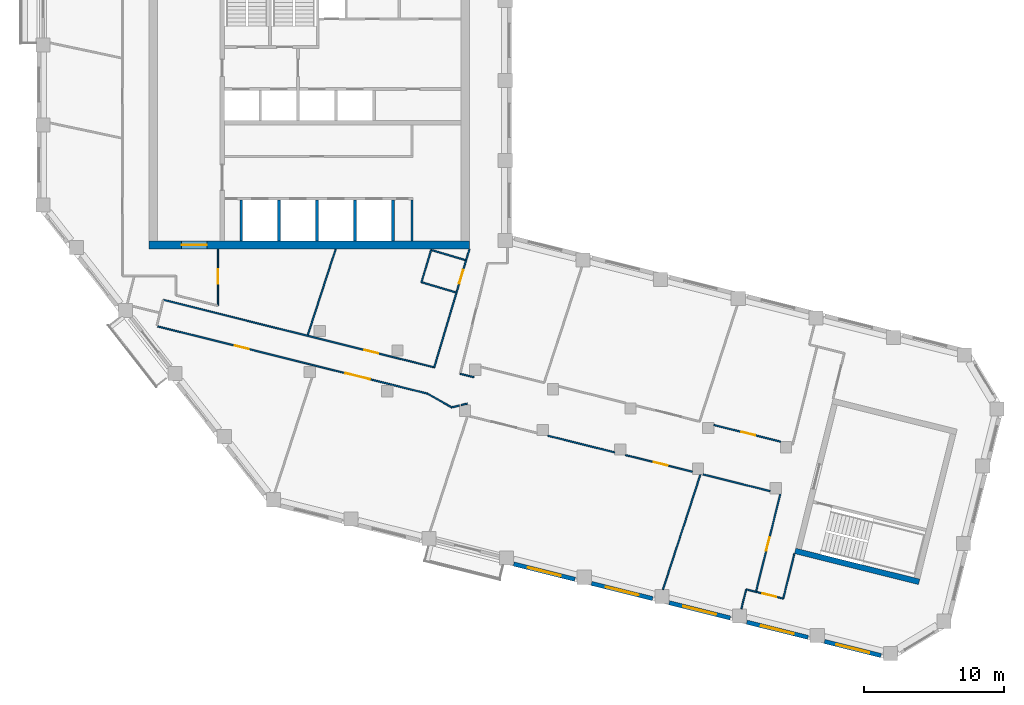
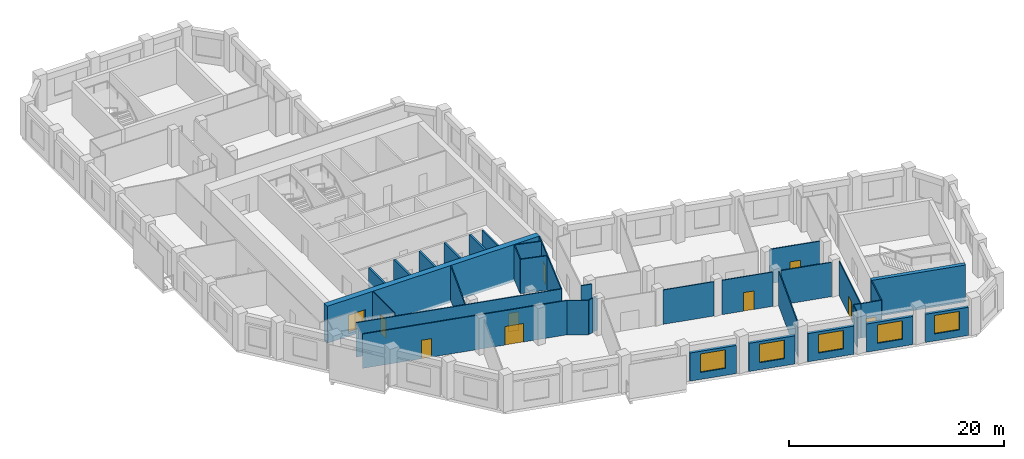
# One storey, part 3 of 9: 35 walls, 10 doors, 5 windows, 15 openings.
"""IFC4 building model written with IfcOpenShell, lengths in metres."""

from ifc_helpers import new_model, si_unit, direction, frame, frame_2d, origin, place, context, subcontext, project, spatial, rectangle, extrude, material, layer, layer_set, type_object, element, fill, save


model = new_model("IFC4")

# Units and contexts
model_context = context("Model", 3, precision=1e-05, world=origin(), true_north=direction((0.0, 1.0)))
body_context = subcontext(model_context, "Body", "Model", "MODEL_VIEW")
ifc_project = project(units=[si_unit("LENGTHUNIT", "METRE"), si_unit("AREAUNIT", "SQUARE_METRE"), si_unit("VOLUMEUNIT", "CUBIC_METRE"), si_unit("PLANEANGLEUNIT", "RADIAN"), si_unit("MASSUNIT", "GRAM", prefix="KILO")], contexts=[model_context])

# Site, building, storey
site_placement = place(None, origin())
site = spatial("IfcSite", under=ifc_project, at=site_placement, CompositionType="ELEMENT")
building_placement = place(site_placement, origin())
building = spatial("IfcBuilding", under=site, at=building_placement, Name="Meshkara Civic Tower", CompositionType="ELEMENT")
storey_placement = place(building_placement, frame((0.0, 0.0, 331.800048828125)))
storey = spatial("IfcBuildingStorey", under=building, at=storey_placement, Name="L76", CompositionType="ELEMENT", Elevation=331.800048828125)

# Wall
ifc_material_1 = material(Name="Blockwork", Category="masonry")
ifc_layer_1 = layer(ifc_material_1, 0.14990234375)
ifc_layer_set_1 = layer_set([ifc_layer_1], Name="Core partition 150")
wall_type_1 = type_object("IfcWallType", Name="Core partition 150", PredefinedType="PARTITIONING", material=ifc_layer_set_1)
wall_1_placement = place(storey_placement, frame((26.699951171875, 14.699951171875, 0.0), z_axis=(0.0, 0.0, 1.0), x_axis=(0.0, 1.0, 0.0)))
element("IfcWall", 1, at=wall_1_placement, inside=storey, type_object=wall_type_1, Name="L76-C025", PredefinedType="PARTITIONING", context=body_context, shape_type="SweptSolid", body=[
    extrude(rectangle(XDim=2.900146484375, YDim=0.14990234375, at=frame_2d((1.4501953125, 0.0))), origin(), (0.0, 0.0, 1.0), 3.89990234375),
])

# Wall, opening, door
ifc_material_2 = material(Name="Concrete C60", Category="concrete")
ifc_layer_2 = layer(ifc_material_2, 0.60009765625)
ifc_layer_set_2 = layer_set([ifc_layer_2], Name="Core ring wall 600 C60")
wall_type_2 = type_object("IfcWallType", Name="Core ring wall 600 C60", PredefinedType="SHEAR", material=ifc_layer_set_2)
wall_2_placement = place(storey_placement, frame((8.0, 14.39990234375, -0.300048828125), z_axis=(0.0, 0.0, 1.0), x_axis=(1.0, 0.0, 0.0)))
wall_2 = element("IfcWall", 2, at=wall_2_placement, inside=storey, type_object=wall_type_2, Name="L76-C001", PredefinedType="SHEAR", context=body_context, shape_type="SweptSolid", body=[
    extrude(rectangle(XDim=22.800048828125, YDim=0.60009765625, at=frame_2d((11.39990234375, 0.0))), origin(), (0.0, 0.0, 1.0), 4.199951171875),
])
opening_1_placement = place(wall_2_placement, frame((2.300048828125, 0.0, 0.300048828125)))
opening_1 = element("IfcOpeningElement", 3, at=opening_1_placement, cuts=wall_2, Name="Opening L76-K022", PredefinedType="OPENING", context=body_context, shape_type="SweptSolid", body=[
    extrude(rectangle(XDim=1.800048828125, YDim=2.10009765625, at=frame_2d((0.89990234375, 1.050048828125))), frame((0.0, 0.31005859375, 0.0), z_axis=(0.0, -1.0, 0.0), x_axis=(1.0, 0.0, 0.0)), (0.0, 0.0, 1.0), 0.6201171875),
])
ifc_material_3 = material(Name="Fire-rated door leaf in steel frame", Category="steel")
door_type_1 = type_object("IfcDoorType", Name="Core double door 1800 EI 60", OperationType="DOUBLE_DOOR_SINGLE_SWING", PredefinedType="DOOR", material=ifc_material_3)
door_1_placement = place(opening_1_placement, origin())
door_1 = element("IfcDoor", 4, at=door_1_placement, inside=storey, type_object=door_type_1, Name="L76-K022", OperationType="DOUBLE_DOOR_SINGLE_SWING", OverallHeight=2.10009765625, OverallWidth=1.800048828125, PredefinedType="DOOR", context=body_context, shape_type="SweptSolid", body=[
    extrude(rectangle(XDim=1.800048828125, YDim=2.10009765625, at=frame_2d((0.89990234375, 1.050048828125))), frame((0.0, 0.02490234375, 0.0), z_axis=(0.0, -1.0, 0.0), x_axis=(1.0, 0.0, 0.0)), (0.0, 0.0, 1.0), 0.050048828125),
])
fill(opening_1, door_1)

# Wall, openings, doors
ifc_material_4 = material(Name="Corridor wall 100")
ifc_layer_3 = layer(ifc_material_4, 0.10009765625)
ifc_layer_set_3 = layer_set([ifc_layer_3], Name="Corridor wall 100")
wall_type_3 = type_object("IfcWallType", Name="Corridor wall 100", PredefinedType="PARTITIONING", material=ifc_layer_set_3)
wall_3_placement = place(storey_placement, frame((8.60107421875, 8.610107421875, 0.0), z_axis=(0.0, 0.0, 1.0), x_axis=(0.970290921205, -0.241941166872, 0.0)))
wall_3 = element("IfcWall", 5, at=wall_3_placement, inside=storey, type_object=wall_type_3, Name="L76-W006", PredefinedType="PARTITIONING", context=body_context, shape_type="SweptSolid", body=[
    extrude(rectangle(XDim=19.8115234375, YDim=0.10009765625, at=frame_2d((9.90576171875, 0.0))), origin(), (0.0, 0.0, 1.0), 3.89990234375),
])
opening_2_placement = place(wall_3_placement, frame((13.784912109375, 0.0, 0.0)))
opening_2 = element("IfcOpeningElement", 6, at=opening_2_placement, cuts=wall_3, Name="Opening L76-D004", PredefinedType="OPENING", context=body_context, shape_type="SweptSolid", body=[
    extrude(rectangle(XDim=1.800048828125, YDim=2.10009765625, at=frame_2d((0.89990234375, 1.050048828125))), frame((0.0, 0.06005859375, 0.0), z_axis=(0.0, -1.0, 0.0), x_axis=(1.0, 0.0, 0.0)), (0.0, 0.0, 1.0), 0.1201171875),
])
opening_3_placement = place(wall_3_placement, frame((5.679931640625, 0.0, 0.0)))
opening_3 = element("IfcOpeningElement", 7, at=opening_3_placement, cuts=wall_3, Name="Opening L76-D009", PredefinedType="OPENING", context=body_context, shape_type="SweptSolid", body=[
    extrude(rectangle(XDim=1.0, YDim=2.10009765625, at=frame_2d((0.5, 1.050048828125))), frame((0.0, 0.06005859375, 0.0), z_axis=(0.0, -1.0, 0.0), x_axis=(1.0, 0.0, 0.0)), (0.0, 0.0, 1.0), 0.1201171875),
])
ifc_material_5 = material(Name="Door 1000 x 2100")
door_type_2 = type_object("IfcDoorType", Name="Door 1000 x 2100", OperationType="SINGLE_SWING_LEFT", PredefinedType="DOOR", material=ifc_material_5)
door_2_placement = place(opening_3_placement, origin())
door_2 = element("IfcDoor", 8, at=door_2_placement, inside=storey, type_object=door_type_2, Name="L76-D009", OperationType="SINGLE_SWING_LEFT", OverallHeight=2.10009765625, OverallWidth=1.0, PredefinedType="DOOR", context=body_context, shape_type="SweptSolid", body=[
    extrude(rectangle(XDim=1.0, YDim=2.10009765625, at=frame_2d((0.5, 1.050048828125))), frame((0.0, 0.02490234375, 0.0), z_axis=(0.0, -1.0, 0.0), x_axis=(1.0, 0.0, 0.0)), (0.0, 0.0, 1.0), 0.050048828125),
])
fill(opening_3, door_2)
ifc_material_6 = material(Name="Door pair 1800 x 2100")
door_type_3 = type_object("IfcDoorType", Name="Door pair 1800 x 2100", OperationType="SINGLE_SWING_LEFT", PredefinedType="DOOR", material=ifc_material_6)
door_3_placement = place(opening_2_placement, origin())
door_3 = element("IfcDoor", 9, at=door_3_placement, inside=storey, type_object=door_type_3, Name="L76-D004", OperationType="DOUBLE_DOOR_SINGLE_SWING", OverallHeight=2.10009765625, OverallWidth=1.800048828125, PredefinedType="DOOR", context=body_context, shape_type="SweptSolid", body=[
    extrude(rectangle(XDim=1.800048828125, YDim=2.10009765625, at=frame_2d((0.89990234375, 1.050048828125))), frame((0.0, 0.02490234375, 0.0), z_axis=(0.0, -1.0, 0.0), x_axis=(1.0, 0.0, 0.0)), (0.0, 0.0, 1.0), 0.050048828125),
])
fill(opening_2, door_3)

# Wall, opening, door
wall_4_placement = place(storey_placement, frame((9.001953125, 10.4990234375, 0.0), z_axis=(0.0, 0.0, 1.0), x_axis=(0.970298340477, -0.241911410372, 0.0)))
wall_4 = element("IfcWall", 10, at=wall_4_placement, inside=storey, type_object=wall_type_3, Name="L76-W007", PredefinedType="PARTITIONING", context=body_context, shape_type="SweptSolid", body=[
    extrude(rectangle(XDim=19.879638671875, YDim=0.10009765625, at=frame_2d((9.93994140625, 0.0))), origin(), (0.0, 0.0, 1.0), 3.89990234375),
])
opening_4_placement = place(wall_4_placement, frame((14.76611328125, 0.0, 0.0)))
opening_4 = element("IfcOpeningElement", 11, at=opening_4_placement, cuts=wall_4, Name="Opening L76-D010", PredefinedType="OPENING", context=body_context, shape_type="SweptSolid", body=[
    extrude(rectangle(XDim=1.0, YDim=2.10009765625, at=frame_2d((0.5, 1.050048828125))), frame((0.0, 0.06005859375, 0.0), z_axis=(0.0, -1.0, 0.0), x_axis=(1.0, 0.0, 0.0)), (0.0, 0.0, 1.0), 0.1201171875),
])
door_4_placement = place(opening_4_placement, origin())
door_4 = element("IfcDoor", 12, at=door_4_placement, inside=storey, type_object=door_type_2, Name="L76-D010", OperationType="SINGLE_SWING_RIGHT", OverallHeight=2.10009765625, OverallWidth=1.0, PredefinedType="DOOR", context=body_context, shape_type="SweptSolid", body=[
    extrude(rectangle(XDim=1.0, YDim=2.10009765625, at=frame_2d((0.5, 1.050048828125))), frame((0.0, 0.02490234375, 0.0), z_axis=(0.0, -1.0, 0.0), x_axis=(1.0, 0.0, 0.0)), (0.0, 0.0, 1.0), 0.050048828125),
])
fill(opening_4, door_4)

wall_5_placement = place(storey_placement, frame((12.89990234375, 10.077880859375, 0.0), z_axis=(0.0, 0.0, 1.0), x_axis=(0.0, 1.0, 0.0)))
wall_5 = element("IfcWall", 13, at=wall_5_placement, inside=storey, type_object=wall_type_3, Name="L76-W015", PredefinedType="PARTITIONING", context=body_context, shape_type="SweptSolid", body=[
    extrude(rectangle(XDim=4.022216796875, YDim=0.10009765625, at=frame_2d((2.01123046875, 0.0))), origin(), (0.0, 0.0, 1.0), 3.89990234375),
])
opening_5_placement = place(wall_5_placement, frame((1.580078125, 0.0, 0.0)))
opening_5 = element("IfcOpeningElement", 14, at=opening_5_placement, cuts=wall_5, Name="Opening L76-D013", PredefinedType="OPENING", context=body_context, shape_type="SweptSolid", body=[
    extrude(rectangle(XDim=1.0, YDim=2.10009765625, at=frame_2d((0.5, 1.050048828125))), frame((0.0, 0.06005859375, 0.0), z_axis=(0.0, -1.0, 0.0), x_axis=(1.0, 0.0, 0.0)), (0.0, 0.0, 1.0), 0.1201171875),
])
door_5_placement = place(opening_5_placement, origin())
door_5 = element("IfcDoor", 15, at=door_5_placement, inside=storey, type_object=door_type_2, Name="L76-D013", OperationType="SINGLE_SWING_LEFT", OverallHeight=2.10009765625, OverallWidth=1.0, PredefinedType="DOOR", context=body_context, shape_type="SweptSolid", body=[
    extrude(rectangle(XDim=1.0, YDim=2.10009765625, at=frame_2d((0.5, 1.050048828125))), frame((0.0, 0.02490234375, 0.0), z_axis=(0.0, -1.0, 0.0), x_axis=(1.0, 0.0, 0.0)), (0.0, 0.0, 1.0), 0.050048828125),
])
fill(opening_5, door_5)

# Wall
wall_6_placement = place(storey_placement, frame((27.823974609375, 3.81689453125, 0.0), z_axis=(0.0, 0.0, 1.0), x_axis=(0.868349676245, -0.495952457163, 0.0)))
element("IfcWall", 16, at=wall_6_placement, inside=storey, type_object=wall_type_3, Name="L76-W018", PredefinedType="PARTITIONING", context=body_context, shape_type="SweptSolid", body=[
    extrude(rectangle(XDim=1.973876953125, YDim=0.10009765625, at=frame_2d((0.98681640625, 0.0))), origin(), (0.0, 0.0, 1.0), 3.89990234375),
])

# Wall, opening, door
wall_7_placement = place(storey_placement, frame((28.291015625, 5.68994140625, 0.0), z_axis=(0.0, 0.0, 1.0), x_axis=(0.28588265334, 0.958264633867, 0.0)))
wall_7 = element("IfcWall", 17, at=wall_7_placement, inside=storey, type_object=wall_type_3, Name="L76-W019", PredefinedType="PARTITIONING", context=body_context, shape_type="SweptSolid", body=[
    extrude(rectangle(XDim=8.7763671875, YDim=0.10009765625, at=frame_2d((4.38818359375, 0.0))), origin(), (0.0, 0.0, 1.0), 3.89990234375),
])
opening_6_placement = place(wall_7_placement, frame((6.22998046875, 0.0, 0.0)))
opening_6 = element("IfcOpeningElement", 18, at=opening_6_placement, cuts=wall_7, Name="Opening L76-D014", PredefinedType="OPENING", context=body_context, shape_type="SweptSolid", body=[
    extrude(rectangle(XDim=1.0, YDim=2.10009765625, at=frame_2d((0.5, 1.050048828125))), frame((0.0, 0.06005859375, 0.0), z_axis=(0.0, -1.0, 0.0), x_axis=(1.0, 0.0, 0.0)), (0.0, 0.0, 1.0), 0.1201171875),
])
door_6_placement = place(opening_6_placement, origin())
door_6 = element("IfcDoor", 19, at=door_6_placement, inside=storey, type_object=door_type_2, Name="L76-D014", OperationType="SINGLE_SWING_LEFT", OverallHeight=2.10009765625, OverallWidth=1.0, PredefinedType="DOOR", context=body_context, shape_type="SweptSolid", body=[
    extrude(rectangle(XDim=1.0, YDim=2.10009765625, at=frame_2d((0.5, 1.050048828125))), frame((0.0, 0.02490234375, 0.0), z_axis=(0.0, -1.0, 0.0), x_axis=(1.0, 0.0, 0.0)), (0.0, 0.0, 1.0), 0.050048828125),
])
fill(opening_6, door_6)

# Walls
wall_8_placement = place(storey_placement, frame((29.5380859375, 2.837890625, 0.0), z_axis=(0.0, 0.0, 1.0), x_axis=(0.971654139629, 0.236406922365, 0.0)))
element("IfcWall", 20, at=wall_8_placement, inside=storey, type_object=wall_type_3, Name="L76-W020", PredefinedType="PARTITIONING", context=body_context, shape_type="SweptSolid", body=[
    extrude(rectangle(XDim=0.562744140625, YDim=0.10009765625, at=frame_2d((0.28125, 0.0))), origin(), (0.0, 0.0, 1.0), 3.89990234375),
])
wall_9_placement = place(storey_placement, frame((30.212890625, 3.001953125, 0.0), z_axis=(0.0, 0.0, 1.0), x_axis=(0.971720514556, 0.236133948408, 0.0)))
element("IfcWall", 21, at=wall_9_placement, inside=storey, type_object=wall_type_3, Name="L76-W022", PredefinedType="PARTITIONING", context=body_context, shape_type="SweptSolid", body=[
    extrude(rectangle(XDim=0.4580078125, YDim=0.10009765625, at=frame_2d((0.22900390625, 0.0))), origin(), (0.0, 0.0, 1.0), 3.89990234375),
])
wall_10_placement = place(storey_placement, frame((31.125, 4.98291015625, 0.0), z_axis=(0.0, 0.0, 1.0), x_axis=(-0.970296981152, 0.24191686251, 0.0)))
element("IfcWall", 22, at=wall_10_placement, inside=storey, type_object=wall_type_3, Name="L76-W025", PredefinedType="PARTITIONING", context=body_context, shape_type="SweptSolid", body=[
    extrude(rectangle(XDim=1.021240234375, YDim=0.10009765625, at=frame_2d((0.5107421875, 0.0))), origin(), (0.0, 0.0, 1.0), 3.89990234375),
])
wall_11_placement = place(storey_placement, frame((36.3798828125, 0.822998046875, 0.0), z_axis=(0.0, 0.0, 1.0), x_axis=(0.970311839682, -0.241857259087, 0.0)))
element("IfcWall", 23, at=wall_11_placement, inside=storey, type_object=wall_type_3, Name="L76-W029", PredefinedType="PARTITIONING", context=body_context, shape_type="SweptSolid", body=[
    extrude(rectangle(XDim=4.911865234375, YDim=0.10009765625, at=frame_2d((2.4560546875, 0.0))), origin(), (0.0, 0.0, 1.0), 3.89990234375),
])

# Wall, opening, door
wall_12_placement = place(storey_placement, frame((41.910888671875, -0.555908203125, 0.0), z_axis=(0.0, 0.0, 1.0), x_axis=(0.970311839682, -0.241857259087, 0.0)))
wall_12 = element("IfcWall", 24, at=wall_12_placement, inside=storey, type_object=wall_type_3, Name="L76-W030", PredefinedType="PARTITIONING", context=body_context, shape_type="SweptSolid", body=[
    extrude(rectangle(XDim=4.911865234375, YDim=0.10009765625, at=frame_2d((2.4560546875, 0.0))), origin(), (0.0, 0.0, 1.0), 3.89990234375),
])
opening_7_placement = place(wall_12_placement, frame((2.080078125, 0.0, 0.0)))
opening_7 = element("IfcOpeningElement", 25, at=opening_7_placement, cuts=wall_12, Name="Opening L76-D003", PredefinedType="OPENING", context=body_context, shape_type="SweptSolid", body=[
    extrude(rectangle(XDim=1.0, YDim=2.10009765625, at=frame_2d((0.5, 1.050048828125))), frame((0.0, 0.06005859375, 0.0), z_axis=(0.0, -1.0, 0.0), x_axis=(1.0, 0.0, 0.0)), (0.0, 0.0, 1.0), 0.1201171875),
])
door_7_placement = place(opening_7_placement, origin())
door_7 = element("IfcDoor", 26, at=door_7_placement, inside=storey, type_object=door_type_2, Name="L76-D003", OperationType="SINGLE_SWING_LEFT", OverallHeight=2.10009765625, OverallWidth=1.0, PredefinedType="DOOR", context=body_context, shape_type="SweptSolid", body=[
    extrude(rectangle(XDim=1.0, YDim=2.10009765625, at=frame_2d((0.5, 1.050048828125))), frame((0.0, 0.02490234375, 0.0), z_axis=(0.0, -1.0, 0.0), x_axis=(1.0, 0.0, 0.0)), (0.0, 0.0, 1.0), 0.050048828125),
])
fill(opening_7, door_7)

# Wall
wall_13_placement = place(storey_placement, frame((47.44189453125, -1.93505859375, 0.0), z_axis=(0.0, 0.0, 1.0), x_axis=(0.970311839682, -0.241857259087, 0.0)))
element("IfcWall", 27, at=wall_13_placement, inside=storey, type_object=wall_type_3, Name="L76-W033", PredefinedType="PARTITIONING", context=body_context, shape_type="SweptSolid", body=[
    extrude(rectangle(XDim=4.911865234375, YDim=0.10009765625, at=frame_2d((2.4560546875, 0.0))), origin(), (0.0, 0.0, 1.0), 3.89990234375),
])

# Wall, opening, door
wall_14_placement = place(storey_placement, frame((51.200927734375, -10.2919921875, 0.0), z_axis=(0.0, 0.0, 1.0), x_axis=(0.970307382734, -0.241875139301, 0.0)))
wall_14 = element("IfcWall", 28, at=wall_14_placement, inside=storey, type_object=wall_type_3, Name="L76-W034", PredefinedType="PARTITIONING", context=body_context, shape_type="SweptSolid", body=[
    extrude(rectangle(XDim=2.00048828125, YDim=0.10009765625, at=frame_2d((1.000244140625, 0.0))), origin(), (0.0, 0.0, 1.0), 3.89990234375),
])
opening_8_placement = place(wall_14_placement, frame((0.47998046875, 0.0, 0.0)))
opening_8 = element("IfcOpeningElement", 29, at=opening_8_placement, cuts=wall_14, Name="Opening L76-D002", PredefinedType="OPENING", context=body_context, shape_type="SweptSolid", body=[
    extrude(rectangle(XDim=1.0, YDim=2.10009765625, at=frame_2d((0.5, 1.050048828125))), frame((0.0, 0.06005859375, 0.0), z_axis=(0.0, -1.0, 0.0), x_axis=(1.0, 0.0, 0.0)), (0.0, 0.0, 1.0), 0.1201171875),
])
door_8_placement = place(opening_8_placement, origin())
door_8 = element("IfcDoor", 30, at=door_8_placement, inside=storey, type_object=door_type_2, Name="L76-D002", OperationType="SINGLE_SWING_RIGHT", OverallHeight=2.10009765625, OverallWidth=1.0, PredefinedType="DOOR", context=body_context, shape_type="SweptSolid", body=[
    extrude(rectangle(XDim=1.0, YDim=2.10009765625, at=frame_2d((0.5, 1.050048828125))), frame((0.0, 0.02490234375, 0.0), z_axis=(0.0, -1.0, 0.0), x_axis=(1.0, 0.0, 0.0)), (0.0, 0.0, 1.0), 0.050048828125),
])
fill(opening_8, door_8)

wall_15_placement = place(storey_placement, frame((52.94091796875, -3.31396484375, 0.0), z_axis=(0.0, 0.0, 1.0), x_axis=(-0.241944492524, -0.97029009195, 0.0)))
wall_15 = element("IfcWall", 31, at=wall_15_placement, inside=storey, type_object=wall_type_3, Name="L76-W035", PredefinedType="PARTITIONING", context=body_context, shape_type="SweptSolid", body=[
    extrude(rectangle(XDim=7.191650390625, YDim=0.10009765625, at=frame_2d((3.595703125, 0.0))), origin(), (0.0, 0.0, 1.0), 3.89990234375),
])
opening_9_placement = place(wall_15_placement, frame((3.179931640625, 0.0, 0.0)))
opening_9 = element("IfcOpeningElement", 32, at=opening_9_placement, cuts=wall_15, Name="Opening L76-D001", PredefinedType="OPENING", context=body_context, shape_type="SweptSolid", body=[
    extrude(rectangle(XDim=1.0, YDim=2.10009765625, at=frame_2d((0.5, 1.050048828125))), frame((0.0, 0.06005859375, 0.0), z_axis=(0.0, -1.0, 0.0), x_axis=(1.0, 0.0, 0.0)), (0.0, 0.0, 1.0), 0.1201171875),
])
door_9_placement = place(opening_9_placement, origin())
door_9 = element("IfcDoor", 33, at=door_9_placement, inside=storey, type_object=door_type_2, Name="L76-D001", OperationType="SINGLE_SWING_LEFT", OverallHeight=2.10009765625, OverallWidth=1.0, PredefinedType="DOOR", context=body_context, shape_type="SweptSolid", body=[
    extrude(rectangle(XDim=1.0, YDim=2.10009765625, at=frame_2d((0.5, 1.050048828125))), frame((0.0, 0.02490234375, 0.0), z_axis=(0.0, -1.0, 0.0), x_axis=(1.0, 0.0, 0.0)), (0.0, 0.0, 1.0), 0.050048828125),
])
fill(opening_9, door_9)

wall_16_placement = place(storey_placement, frame((52.970947265625, 0.39697265625, 0.0), z_axis=(0.0, 0.0, 1.0), x_axis=(-0.970288447449, 0.24195108751, 0.0)))
wall_16 = element("IfcWall", 34, at=wall_16_placement, inside=storey, type_object=wall_type_3, Name="L76-W036", PredefinedType="PARTITIONING", context=body_context, shape_type="SweptSolid", body=[
    extrude(rectangle(XDim=4.9140625, YDim=0.10009765625, at=frame_2d((2.45703125, 0.0))), origin(), (0.0, 0.0, 1.0), 3.89990234375),
])
opening_10_placement = place(wall_16_placement, frame((1.8798828125, 0.0, 0.0)))
opening_10 = element("IfcOpeningElement", 35, at=opening_10_placement, cuts=wall_16, Name="Opening L76-D007", PredefinedType="OPENING", context=body_context, shape_type="SweptSolid", body=[
    extrude(rectangle(XDim=1.0, YDim=2.10009765625, at=frame_2d((0.5, 1.050048828125))), frame((0.0, 0.06005859375, 0.0), z_axis=(0.0, -1.0, 0.0), x_axis=(1.0, 0.0, 0.0)), (0.0, 0.0, 1.0), 0.1201171875),
])
door_10_placement = place(opening_10_placement, origin())
door_10 = element("IfcDoor", 36, at=door_10_placement, inside=storey, type_object=door_type_2, Name="L76-D007", OperationType="SINGLE_SWING_RIGHT", OverallHeight=2.10009765625, OverallWidth=1.0, PredefinedType="DOOR", context=body_context, shape_type="SweptSolid", body=[
    extrude(rectangle(XDim=1.0, YDim=2.10009765625, at=frame_2d((0.5, 1.050048828125))), frame((0.0, 0.02490234375, 0.0), z_axis=(0.0, -1.0, 0.0), x_axis=(1.0, 0.0, 0.0)), (0.0, 0.0, 1.0), 0.050048828125),
])
fill(opening_10, door_10)

# Wall
wall_17_placement = place(storey_placement, frame((53.14208984375, -10.77587890625, 0.0), z_axis=(0.0, 0.0, 1.0), x_axis=(0.241786986316, 0.970329352977, 0.0)))
element("IfcWall", 37, at=wall_17_placement, inside=storey, type_object=wall_type_3, Name="L76-W037", PredefinedType="PARTITIONING", context=body_context, shape_type="SweptSolid", body=[
    extrude(rectangle(XDim=3.2998046875, YDim=0.10009765625, at=frame_2d((1.64990234375, 0.0))), origin(), (0.0, 0.0, 1.0), 3.89990234375),
])

# Wall, opening, window
ifc_material_7 = material(Name="Insulated infill panel with bronze anodised aluminium cladding", Category="aluminium")
ifc_layer_4 = layer(ifc_material_7, 0.300048828125)
ifc_layer_set_4 = layer_set([ifc_layer_4], Name="EXTERNAL INFILL WALL 300")
wall_type_4 = type_object("IfcWallType", Name="EXTERNAL INFILL WALL 300", PredefinedType="SOLIDWALL", material=ifc_layer_set_4)
wall_18_placement = place(storey_placement, frame((33.958984375, -8.31201171875, 0.0), z_axis=(0.0, 0.0, 1.0), x_axis=(0.970276766004, -0.241997928406, 0.0)))
wall_18 = element("IfcWall", 38, at=wall_18_placement, inside=storey, type_object=wall_type_4, Name="External wall", PredefinedType="SOLIDWALL", context=body_context, shape_type="SweptSolid", body=[
    extrude(rectangle(XDim=4.4873046875, YDim=0.300048828125, at=frame_2d((2.24365234375, 0.0))), origin(), (0.0, 0.0, 1.0), 3.199951171875),
])
opening_11_placement = place(wall_18_placement, frame((1.0439453125, 0.0, 0.800048828125)))
opening_11 = element("IfcOpeningElement", 39, at=opening_11_placement, cuts=wall_18, Name="Opening W7", PredefinedType="OPENING", context=body_context, shape_type="SweptSolid", body=[
    extrude(rectangle(XDim=2.39990234375, YDim=2.10009765625, at=frame_2d((1.199951171875, 1.050048828125))), frame((0.0, 0.159912109375, 0.0), z_axis=(0.0, -1.0, 0.0), x_axis=(1.0, 0.0, 0.0)), (0.0, 0.0, 1.0), 0.320068359375),
])
ifc_material_8 = material(Name="Tinted double glazing", Category="glass")
window_type = type_object("IfcWindowType", Name="WINDOW 2400x2100", PartitioningType="DOUBLE_PANEL_VERTICAL", PredefinedType="WINDOW", material=ifc_material_8)
window_1_placement = place(opening_11_placement, origin())
window_1 = element("IfcWindow", 40, at=window_1_placement, inside=storey, type_object=window_type, Name="Window", OverallHeight=2.10009765625, OverallWidth=2.39990234375, PartitioningType="DOUBLE_PANEL_VERTICAL", PredefinedType="WINDOW", context=body_context, shape_type="SweptSolid", body=[
    extrude(rectangle(XDim=2.39990234375, YDim=2.10009765625, at=frame_2d((1.199951171875, 1.050048828125))), frame((0.0, 0.030029296875, 0.0), z_axis=(0.0, -1.0, 0.0), x_axis=(1.0, 0.0, 0.0)), (0.0, 0.0, 1.0), 0.06005859375),
])
fill(opening_11, window_1)

wall_19_placement = place(storey_placement, frame((39.489990234375, -9.69189453125, 0.0), z_axis=(0.0, 0.0, 1.0), x_axis=(0.970302346682, -0.241895341054, 0.0)))
wall_19 = element("IfcWall", 41, at=wall_19_placement, inside=storey, type_object=wall_type_4, Name="External wall", PredefinedType="SOLIDWALL", context=body_context, shape_type="SweptSolid", body=[
    extrude(rectangle(XDim=4.486328125, YDim=0.300048828125, at=frame_2d((2.2431640625, 0.0))), origin(), (0.0, 0.0, 1.0), 3.199951171875),
])
opening_12_placement = place(wall_19_placement, frame((1.0439453125, 0.0, 0.800048828125)))
opening_12 = element("IfcOpeningElement", 42, at=opening_12_placement, cuts=wall_19, Name="Opening W7", PredefinedType="OPENING", context=body_context, shape_type="SweptSolid", body=[
    extrude(rectangle(XDim=2.39990234375, YDim=2.10009765625, at=frame_2d((1.199951171875, 1.050048828125))), frame((0.0, 0.159912109375, 0.0), z_axis=(0.0, -1.0, 0.0), x_axis=(1.0, 0.0, 0.0)), (0.0, 0.0, 1.0), 0.320068359375),
])
window_2_placement = place(opening_12_placement, origin())
window_2 = element("IfcWindow", 43, at=window_2_placement, inside=storey, type_object=window_type, Name="Window", OverallHeight=2.10009765625, OverallWidth=2.39990234375, PartitioningType="DOUBLE_PANEL_VERTICAL", PredefinedType="WINDOW", context=body_context, shape_type="SweptSolid", body=[
    extrude(rectangle(XDim=2.39990234375, YDim=2.10009765625, at=frame_2d((1.199951171875, 1.050048828125))), frame((0.0, 0.030029296875, 0.0), z_axis=(0.0, -1.0, 0.0), x_axis=(1.0, 0.0, 0.0)), (0.0, 0.0, 1.0), 0.06005859375),
])
fill(opening_12, window_2)

wall_20_placement = place(storey_placement, frame((45.02001953125, -11.070068359375, 0.0), z_axis=(0.0, 0.0, 1.0), x_axis=(0.970276766004, -0.241997928406, 0.0)))
wall_20 = element("IfcWall", 44, at=wall_20_placement, inside=storey, type_object=wall_type_4, Name="External wall", PredefinedType="SOLIDWALL", context=body_context, shape_type="SweptSolid", body=[
    extrude(rectangle(XDim=4.4873046875, YDim=0.300048828125, at=frame_2d((2.24365234375, 0.0))), origin(), (0.0, 0.0, 1.0), 3.199951171875),
])
opening_13_placement = place(wall_20_placement, frame((1.0439453125, 0.0, 0.800048828125)))
opening_13 = element("IfcOpeningElement", 45, at=opening_13_placement, cuts=wall_20, Name="Opening W7", PredefinedType="OPENING", context=body_context, shape_type="SweptSolid", body=[
    extrude(rectangle(XDim=2.39990234375, YDim=2.10009765625, at=frame_2d((1.199951171875, 1.050048828125))), frame((0.0, 0.159912109375, 0.0), z_axis=(0.0, -1.0, 0.0), x_axis=(1.0, 0.0, 0.0)), (0.0, 0.0, 1.0), 0.320068359375),
])
window_3_placement = place(opening_13_placement, origin())
window_3 = element("IfcWindow", 46, at=window_3_placement, inside=storey, type_object=window_type, Name="Window", OverallHeight=2.10009765625, OverallWidth=2.39990234375, PartitioningType="DOUBLE_PANEL_VERTICAL", PredefinedType="WINDOW", context=body_context, shape_type="SweptSolid", body=[
    extrude(rectangle(XDim=2.39990234375, YDim=2.10009765625, at=frame_2d((1.199951171875, 1.050048828125))), frame((0.0, 0.030029296875, 0.0), z_axis=(0.0, -1.0, 0.0), x_axis=(1.0, 0.0, 0.0)), (0.0, 0.0, 1.0), 0.06005859375),
])
fill(opening_13, window_3)

wall_21_placement = place(storey_placement, frame((50.551025390625, -12.448974609375, 0.0), z_axis=(0.0, 0.0, 1.0), x_axis=(0.970276766004, -0.241997928406, 0.0)))
wall_21 = element("IfcWall", 47, at=wall_21_placement, inside=storey, type_object=wall_type_4, Name="External wall", PredefinedType="SOLIDWALL", context=body_context, shape_type="SweptSolid", body=[
    extrude(rectangle(XDim=4.4873046875, YDim=0.300048828125, at=frame_2d((2.24365234375, 0.0))), origin(), (0.0, 0.0, 1.0), 3.199951171875),
])
opening_14_placement = place(wall_21_placement, frame((1.0439453125, 0.0, 0.800048828125)))
opening_14 = element("IfcOpeningElement", 48, at=opening_14_placement, cuts=wall_21, Name="Opening W7", PredefinedType="OPENING", context=body_context, shape_type="SweptSolid", body=[
    extrude(rectangle(XDim=2.39990234375, YDim=2.10009765625, at=frame_2d((1.199951171875, 1.050048828125))), frame((0.0, 0.159912109375, 0.0), z_axis=(0.0, -1.0, 0.0), x_axis=(1.0, 0.0, 0.0)), (0.0, 0.0, 1.0), 0.320068359375),
])
window_4_placement = place(opening_14_placement, origin())
window_4 = element("IfcWindow", 49, at=window_4_placement, inside=storey, type_object=window_type, Name="Window", OverallHeight=2.10009765625, OverallWidth=2.39990234375, PartitioningType="DOUBLE_PANEL_VERTICAL", PredefinedType="WINDOW", context=body_context, shape_type="SweptSolid", body=[
    extrude(rectangle(XDim=2.39990234375, YDim=2.10009765625, at=frame_2d((1.199951171875, 1.050048828125))), frame((0.0, 0.030029296875, 0.0), z_axis=(0.0, -1.0, 0.0), x_axis=(1.0, 0.0, 0.0)), (0.0, 0.0, 1.0), 0.06005859375),
])
fill(opening_14, window_4)

wall_22_placement = place(storey_placement, frame((56.0810546875, -13.827880859375, 0.0), z_axis=(0.0, 0.0, 1.0), x_axis=(0.970246294139, -0.242120070853, 0.0)))
wall_22 = element("IfcWall", 50, at=wall_22_placement, inside=storey, type_object=wall_type_4, Name="External wall", PredefinedType="SOLIDWALL", context=body_context, shape_type="SweptSolid", body=[
    extrude(rectangle(XDim=4.147216796875, YDim=0.300048828125, at=frame_2d((2.07373046875, 0.0))), origin(), (0.0, 0.0, 1.0), 3.199951171875),
])
opening_15_placement = place(wall_22_placement, frame((0.8740234375, 0.0, 0.800048828125)))
opening_15 = element("IfcOpeningElement", 51, at=opening_15_placement, cuts=wall_22, Name="Opening W7", PredefinedType="OPENING", context=body_context, shape_type="SweptSolid", body=[
    extrude(rectangle(XDim=2.39990234375, YDim=2.10009765625, at=frame_2d((1.199951171875, 1.050048828125))), frame((0.0, 0.159912109375, 0.0), z_axis=(0.0, -1.0, 0.0), x_axis=(1.0, 0.0, 0.0)), (0.0, 0.0, 1.0), 0.320068359375),
])
window_5_placement = place(opening_15_placement, origin())
window_5 = element("IfcWindow", 52, at=window_5_placement, inside=storey, type_object=window_type, Name="Window", OverallHeight=2.10009765625, OverallWidth=2.39990234375, PartitioningType="DOUBLE_PANEL_VERTICAL", PredefinedType="WINDOW", context=body_context, shape_type="SweptSolid", body=[
    extrude(rectangle(XDim=2.39990234375, YDim=2.10009765625, at=frame_2d((1.199951171875, 1.050048828125))), frame((0.0, 0.030029296875, 0.0), z_axis=(0.0, -1.0, 0.0), x_axis=(1.0, 0.0, 0.0)), (0.0, 0.0, 1.0), 0.06005859375),
])
fill(opening_15, window_5)

# Walls
ifc_material_9 = material(Name="Concrete C60", Category="concrete")
ifc_layer_5 = layer(ifc_material_9, 0.39990234375)
ifc_layer_set_5 = layer_set([ifc_layer_5], Name="End core ring wall 400 C60")
wall_type_5 = type_object("IfcWallType", Name="End core ring wall 400 C60", PredefinedType="SHEAR", material=ifc_layer_set_5)
wall_23_placement = place(storey_placement, frame((53.988037109375, -7.3798828125, -0.300048828125), z_axis=(0.0, 0.0, 1.0), x_axis=(0.970281210621, -0.241980107272, 0.0)))
element("IfcWall", 53, at=wall_23_placement, inside=storey, type_object=wall_type_5, Name="L76-C032", PredefinedType="SHEAR", context=body_context, shape_type="SweptSolid", body=[
    extrude(rectangle(XDim=9.1005859375, YDim=0.39990234375, at=frame_2d((4.55029296875, 0.0))), origin(), (0.0, 0.0, 1.0), 4.199951171875),
])
ifc_material_10 = material(Name="Partition 100")
ifc_layer_6 = layer(ifc_material_10, 0.10009765625)
ifc_layer_set_6 = layer_set([ifc_layer_6], Name="Partition 100")
wall_type_6 = type_object("IfcWallType", Name="Partition 100", PredefinedType="PARTITIONING", material=ifc_layer_set_6)
wall_24_placement = place(storey_placement, frame((19.291015625, 7.989013671875, 0.0), z_axis=(0.0, 0.0, 1.0), x_axis=(0.308911656913, 0.951090736062, 0.0)))
element("IfcWall", 54, at=wall_24_placement, inside=storey, type_object=wall_type_6, Name="L76-W049", PredefinedType="PARTITIONING", context=body_context, shape_type="SweptSolid", body=[
    extrude(rectangle(XDim=6.42529296875, YDim=0.10009765625, at=frame_2d((3.212646484375, 0.0))), origin(), (0.0, 0.0, 1.0), 3.89990234375),
])
wall_25_placement = place(storey_placement, frame((27.385986328125, 11.751953125, 0.0), z_axis=(0.0, 0.0, 1.0), x_axis=(0.285826425332, 0.958281406781, 0.0)))
element("IfcWall", 55, at=wall_25_placement, inside=storey, type_object=wall_type_6, Name="L76-W052", PredefinedType="PARTITIONING", context=body_context, shape_type="SweptSolid", body=[
    extrude(rectangle(XDim=2.400146484375, YDim=0.10009765625, at=frame_2d((1.2001953125, 0.0))), origin(), (0.0, 0.0, 1.0), 3.89990234375),
])
for number, where, z_axis, x_axis, name in (
    (56, (28.072021484375, 14.052001953125, 0.0), (0.0, 0.0, 1.0), (0.95828086131, -0.285828254108, 0.0), "L76-W054"),
    (57, (29.830078125, 11.02294921875, 0.0), (0.0, 0.0, 1.0), (-0.95828086131, 0.285828254108, 0.0), "L76-W055"),
):
    element("IfcWall", number, at=place(storey_placement, frame(where, z_axis=z_axis, x_axis=x_axis)), inside=storey, type_object=wall_type_6, Name=name, PredefinedType="PARTITIONING", context=body_context, shape_type="SweptSolid", body=[
        extrude(rectangle(XDim=2.550537109375, YDim=0.10009765625, at=frame_2d((1.275390625, 0.0))), origin(), (0.0, 0.0, 1.0), 3.89990234375),
    ])
wall_26_placement = place(storey_placement, frame((44.58203125, -10.133056640625, 0.0), z_axis=(0.0, 0.0, 1.0), x_axis=(0.309055972439, 0.951043850671, 0.0)))
element("IfcWall", 58, at=wall_26_placement, inside=storey, type_object=wall_type_6, Name="L76-W057", PredefinedType="PARTITIONING", context=body_context, shape_type="SweptSolid", body=[
    extrude(rectangle(XDim=8.6201171875, YDim=0.10009765625, at=frame_2d((4.31005859375, 0.0))), origin(), (0.0, 0.0, 1.0), 3.89990234375),
])
wall_27_placement = place(storey_placement, frame((50.159912109375, -11.511962890625, 0.0), z_axis=(0.0, 0.0, 1.0), x_axis=(0.241815333826, 0.970322288895, 0.0)))
element("IfcWall", 59, at=wall_27_placement, inside=storey, type_object=wall_type_6, Name="L76-W059", PredefinedType="PARTITIONING", context=body_context, shape_type="SweptSolid", body=[
    extrude(rectangle(XDim=1.435791015625, YDim=0.10009765625, at=frame_2d((0.7177734375, 0.0))), origin(), (0.0, 0.0, 1.0), 3.89990234375),
])
wall_28_placement = place(storey_placement, frame((50.507080078125, -10.118896484375, 0.0), z_axis=(0.0, 0.0, 1.0), x_axis=(0.970282083048, -0.241976609029, 0.0)))
element("IfcWall", 60, at=wall_28_placement, inside=storey, type_object=wall_type_6, Name="L76-W060", PredefinedType="PARTITIONING", context=body_context, shape_type="SweptSolid", body=[
    extrude(rectangle(XDim=0.719482421875, YDim=0.10009765625, at=frame_2d((0.35986328125, 0.0))), origin(), (0.0, 0.0, 1.0), 3.89990234375),
])
ifc_material_11 = material(Name="Concrete C40/50", Category="concrete")
ifc_layer_7 = layer(ifc_material_11, 0.199951171875)
ifc_layer_set_7 = layer_set([ifc_layer_7], Name="Shaft wall 200 C40/50")
wall_type_7 = type_object("IfcWallType", Name="Shaft wall 200 C40/50", PredefinedType="SOLIDWALL", material=ifc_layer_set_7)
for number, where, z_axis, x_axis, name in (
    (61, (14.550048828125, 14.699951171875, 0.0), (0.0, 0.0, 1.0), (0.0, 1.0, 0.0), "L76-C012"),
    (62, (17.25, 14.699951171875, 0.0), (0.0, 0.0, 1.0), (0.0, 1.0, 0.0), "L76-C015"),
    (63, (19.949951171875, 14.699951171875, 0.0), (0.0, 0.0, 1.0), (0.0, 1.0, 0.0), "L76-C017"),
    (64, (22.64990234375, 14.699951171875, 0.0), (0.0, 0.0, 1.0), (0.0, 1.0, 0.0), "L76-C021"),
    (65, (25.35009765625, 14.699951171875, 0.0), (0.0, 0.0, 1.0), (0.0, 1.0, 0.0), "L76-C023"),
):
    element("IfcWall", number, at=place(storey_placement, frame(where, z_axis=z_axis, x_axis=x_axis)), inside=storey, type_object=wall_type_7, Name=name, PredefinedType="SOLIDWALL", context=body_context, shape_type="SweptSolid", body=[
        extrude(rectangle(XDim=2.900146484375, YDim=0.199951171875, at=frame_2d((1.4501953125, 0.0))), origin(), (0.0, 0.0, 1.0), 3.89990234375),
    ])

save(model, "model.ifc")
